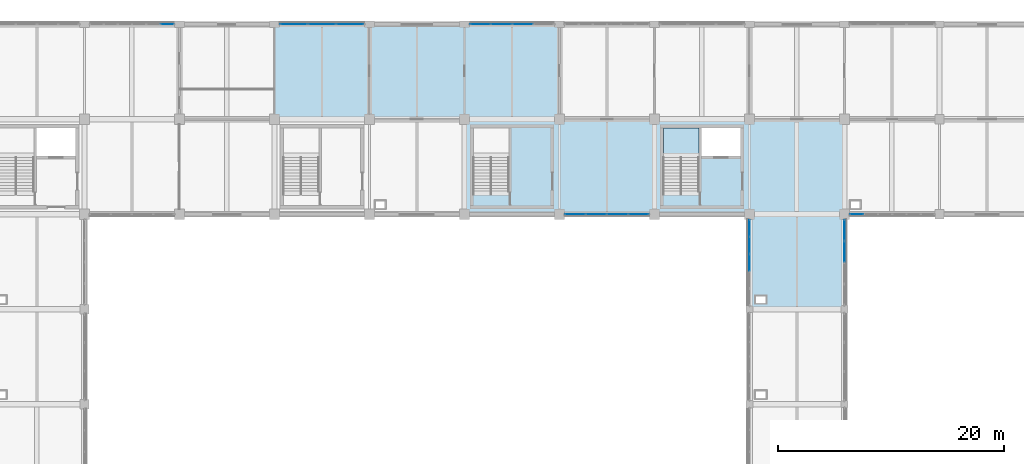
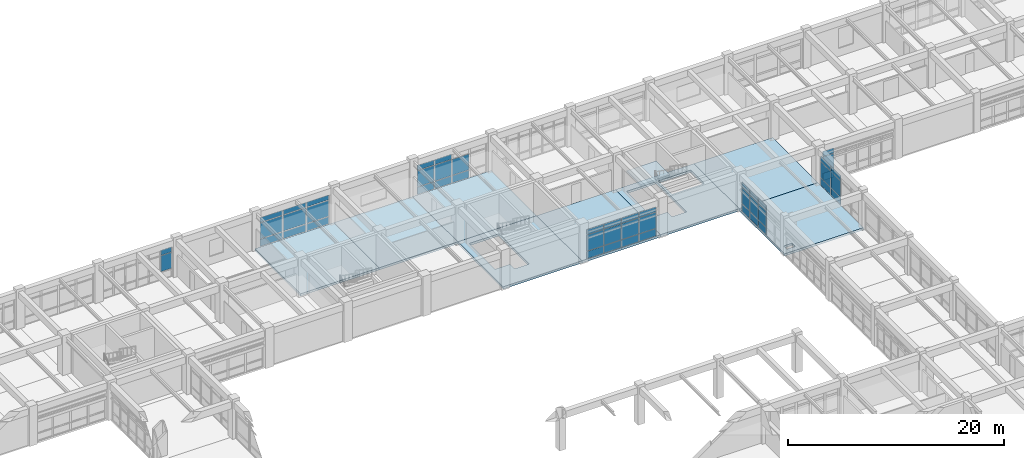
# One storey, part 71 of 99: 49 plates, 9 slabs, 8 elements without a shape of their own.
"""IFC4 building model written with IfcOpenShell, lengths in metres."""

from ifc_helpers import new_model, si_unit, direction, frame, origin, origin_2d, place, context, subcontext, project, spatial, polyline, rectangle, outline, extrude, material, layer, layer_set, type_object, element, aggregate, save


model = new_model("IFC4")

# Units and contexts
model_context = context("Model", 3, precision=1e-05, world=origin(), true_north=direction((0.0, 1.0)))
body_context = subcontext(model_context, "Body", "Model", "MODEL_VIEW")
ifc_project = project(units=[si_unit("LENGTHUNIT", "METRE"), si_unit("AREAUNIT", "SQUARE_METRE"), si_unit("VOLUMEUNIT", "CUBIC_METRE"), si_unit("PLANEANGLEUNIT", "RADIAN"), si_unit("MASSUNIT", "GRAM", prefix="KILO")], contexts=[model_context])

# Site, building, storey
site_placement = place(None, origin())
site = spatial("IfcSite", under=ifc_project, at=site_placement, CompositionType="ELEMENT")
building_placement = place(site_placement, origin())
building = spatial("IfcBuilding", under=site, at=building_placement, Name="Porcellanite Civic Hall", CompositionType="ELEMENT")
storey_placement = place(building_placement, frame((0.0, 0.0, 5.760009765625)))
storey = spatial("IfcBuildingStorey", under=building, at=storey_placement, Name="L01", CompositionType="ELEMENT", Elevation=5.760009765625)

# Curtain wall, plates
ifc_material_1 = material(Name="Anodised aluminium and solar laminated glass", Category="aluminium")
ifc_layer_1 = layer(ifc_material_1, 0.179931640625)
ifc_layer_set_1 = layer_set([ifc_layer_1], Name="Anodised aluminium and solar laminated glass")
curtain_wall_type_1 = type_object("IfcCurtainWallType", Name="CW-SYS01", PredefinedType="NOTDEFINED", material=ifc_layer_set_1)
curtain_wall_1_placement = place(storey_placement, origin())
curtain_wall_1 = element("IfcCurtainWall", 1, at=curtain_wall_1_placement, inside=storey, type_object=curtain_wall_type_1, Name="Curtain wall CW-113", PredefinedType="NOTDEFINED")
ifc_material_2 = material(Name="Cyclone laminated solar-control low-E glass", Category="glass")
ifc_layer_2 = layer(ifc_material_2, 0.030029296875)
ifc_layer_set_2 = layer_set([ifc_layer_2], Name="Cyclone laminated solar-control low-E glass")
plate_type_1 = type_object("IfcPlateType", Name="CWP-04", PredefinedType="CURTAIN_PANEL", material=ifc_layer_set_2)
plate_1_placement = place(storey_placement, frame((117.60009765625, 96.52490234375, 0.06005859375), z_axis=(0.0, 0.0, 1.0), x_axis=(0.0, 1.0, 0.0)))
plate_1 = element("IfcPlate", 2, at=plate_1_placement, type_object=plate_type_1, Name="CW-113 panel 3.1", PredefinedType="CURTAIN_PANEL", context=body_context, shape_type="SweptSolid", body=[
    extrude(rectangle(XDim=1.459716796875, YDim=0.030029296875, at=origin_2d()), origin(), (0.0, 0.0, 1.0), 0.81005859375),
])
plate_2_placement = place(storey_placement, frame((117.60009765625, 96.52490234375, 0.929931640625), z_axis=(0.0, 0.0, 1.0), x_axis=(0.0, 1.0, 0.0)))
plate_2 = element("IfcPlate", 3, at=plate_2_placement, type_object=plate_type_1, Name="CW-113 panel 3.2", PredefinedType="CURTAIN_PANEL", context=body_context, shape_type="SweptSolid", body=[
    extrude(rectangle(XDim=1.459716796875, YDim=0.030029296875, at=origin_2d()), origin(), (0.0, 0.0, 1.0), 1.7900390625),
])
plate_3_placement = place(storey_placement, frame((117.60009765625, 96.52490234375, 2.780029296875), z_axis=(0.0, 0.0, 1.0), x_axis=(0.0, 1.0, 0.0)))
plate_3 = element("IfcPlate", 4, at=plate_3_placement, type_object=plate_type_1, Name="CW-113 panel 3.3", PredefinedType="CURTAIN_PANEL", context=body_context, shape_type="SweptSolid", body=[
    extrude(rectangle(XDim=1.459716796875, YDim=0.030029296875, at=origin_2d()), origin(), (0.0, 0.0, 1.0), 0.56005859375),
])
plate_4_placement = place(storey_placement, frame((117.60009765625, 98.0546875, 0.06005859375), z_axis=(0.0, 0.0, 1.0), x_axis=(0.0, 1.0, 0.0)))
plate_4 = element("IfcPlate", 5, at=plate_4_placement, type_object=plate_type_1, Name="CW-113 panel 4.1", PredefinedType="CURTAIN_PANEL", context=body_context, shape_type="SweptSolid", body=[
    extrude(rectangle(XDim=1.459716796875, YDim=0.030029296875, at=origin_2d()), origin(), (0.0, 0.0, 1.0), 0.81005859375),
])
plate_5_placement = place(storey_placement, frame((117.60009765625, 98.0546875, 0.929931640625), z_axis=(0.0, 0.0, 1.0), x_axis=(0.0, 1.0, 0.0)))
plate_5 = element("IfcPlate", 6, at=plate_5_placement, type_object=plate_type_1, Name="CW-113 panel 4.2", PredefinedType="CURTAIN_PANEL", context=body_context, shape_type="SweptSolid", body=[
    extrude(rectangle(XDim=1.459716796875, YDim=0.030029296875, at=origin_2d()), origin(), (0.0, 0.0, 1.0), 1.7900390625),
])
plate_6_placement = place(storey_placement, frame((117.60009765625, 98.0546875, 2.780029296875), z_axis=(0.0, 0.0, 1.0), x_axis=(0.0, 1.0, 0.0)))
plate_6 = element("IfcPlate", 7, at=plate_6_placement, type_object=plate_type_1, Name="CW-113 panel 4.3", PredefinedType="CURTAIN_PANEL", context=body_context, shape_type="SweptSolid", body=[
    extrude(rectangle(XDim=1.459716796875, YDim=0.030029296875, at=origin_2d()), origin(), (0.0, 0.0, 1.0), 0.56005859375),
])
plate_7_placement = place(storey_placement, frame((117.60009765625, 99.566650390625, 0.06005859375), z_axis=(0.0, 0.0, 1.0), x_axis=(0.0, 1.0, 0.0)))
plate_7 = element("IfcPlate", 8, at=plate_7_placement, type_object=plate_type_1, Name="CW-113 panel 5.1", PredefinedType="CURTAIN_PANEL", context=body_context, shape_type="SweptSolid", body=[
    extrude(rectangle(XDim=1.424560546875, YDim=0.030029296875, at=origin_2d()), origin(), (0.0, 0.0, 1.0), 0.81005859375),
])
plate_8_placement = place(storey_placement, frame((117.60009765625, 99.566650390625, 0.929931640625), z_axis=(0.0, 0.0, 1.0), x_axis=(0.0, 1.0, 0.0)))
plate_8 = element("IfcPlate", 9, at=plate_8_placement, type_object=plate_type_1, Name="CW-113 panel 5.2", PredefinedType="CURTAIN_PANEL", context=body_context, shape_type="SweptSolid", body=[
    extrude(rectangle(XDim=1.424560546875, YDim=0.030029296875, at=origin_2d()), origin(), (0.0, 0.0, 1.0), 1.7900390625),
])
plate_9_placement = place(storey_placement, frame((117.60009765625, 99.566650390625, 2.780029296875), z_axis=(0.0, 0.0, 1.0), x_axis=(0.0, 1.0, 0.0)))
plate_9 = element("IfcPlate", 10, at=plate_9_placement, type_object=plate_type_1, Name="CW-113 panel 5.3", PredefinedType="CURTAIN_PANEL", context=body_context, shape_type="SweptSolid", body=[
    extrude(rectangle(XDim=1.424560546875, YDim=0.030029296875, at=origin_2d()), origin(), (0.0, 0.0, 1.0), 0.56005859375),
])
aggregate(curtain_wall_1, [plate_1, plate_2, plate_3, plate_4, plate_5, plate_6, plate_7, plate_8, plate_9])

ifc_material_3 = material(Name="Anodised aluminium and solar laminated glass", Category="aluminium")
ifc_layer_3 = layer(ifc_material_3, 0.179931640625)
ifc_layer_set_3 = layer_set([ifc_layer_3], Name="Anodised aluminium and solar laminated glass")
curtain_wall_type_2 = type_object("IfcCurtainWallType", Name="CW-SYS08", PredefinedType="NOTDEFINED", material=ifc_layer_set_3)
curtain_wall_2_placement = place(storey_placement, origin())
curtain_wall_2 = element("IfcCurtainWall", 11, at=curtain_wall_2_placement, inside=storey, type_object=curtain_wall_type_2, Name="Curtain wall CW-094", PredefinedType="NOTDEFINED")
ifc_material_4 = material(Name="Cyclone laminated solar-control low-E glass", Category="glass")
ifc_layer_4 = layer(ifc_material_4, 0.031982421875)
ifc_layer_set_4 = layer_set([ifc_layer_4], Name="Cyclone laminated solar-control low-E glass")
plate_type_2 = type_object("IfcPlateType", Name="CWP-05", PredefinedType="CURTAIN_PANEL", material=ifc_layer_set_4)
plate_10_placement = place(storey_placement, frame((77.320556640625, 117.60009765625, 0.070068359375), z_axis=(0.0, 0.0, 1.0), x_axis=(1.0, 0.0, 0.0)))
plate_10 = element("IfcPlate", 12, at=plate_10_placement, type_object=plate_type_2, Name="CW-094 panel 1.1", PredefinedType="CURTAIN_PANEL", context=body_context, shape_type="SweptSolid", body=[
    extrude(rectangle(XDim=2.37939453125, YDim=0.031982421875, at=origin_2d()), origin(), (0.0, 0.0, 1.0), 0.794921875),
])
plate_11_placement = place(storey_placement, frame((77.320556640625, 117.60009765625, 0.93505859375), z_axis=(0.0, 0.0, 1.0), x_axis=(1.0, 0.0, 0.0)))
plate_11 = element("IfcPlate", 13, at=plate_11_placement, type_object=plate_type_2, Name="CW-094 panel 1.2", PredefinedType="CURTAIN_PANEL", context=body_context, shape_type="SweptSolid", body=[
    extrude(rectangle(XDim=2.37939453125, YDim=0.031982421875, at=origin_2d()), origin(), (0.0, 0.0, 1.0), 1.780029296875),
])
plate_12_placement = place(storey_placement, frame((77.320556640625, 117.60009765625, 2.784912109375), z_axis=(0.0, 0.0, 1.0), x_axis=(1.0, 0.0, 0.0)))
plate_12 = element("IfcPlate", 14, at=plate_12_placement, type_object=plate_type_2, Name="CW-094 panel 1.3", PredefinedType="CURTAIN_PANEL", context=body_context, shape_type="SweptSolid", body=[
    extrude(rectangle(XDim=2.37939453125, YDim=0.031982421875, at=origin_2d()), origin(), (0.0, 0.0, 1.0), 0.544921875),
])
plate_13_placement = place(storey_placement, frame((79.800048828125, 117.60009765625, 0.070068359375), z_axis=(0.0, 0.0, 1.0), x_axis=(1.0, 0.0, 0.0)))
plate_13 = element("IfcPlate", 15, at=plate_13_placement, type_object=plate_type_2, Name="CW-094 panel 2.1", PredefinedType="CURTAIN_PANEL", context=body_context, shape_type="SweptSolid", body=[
    extrude(rectangle(XDim=2.41943359375, YDim=0.031982421875, at=origin_2d()), origin(), (0.0, 0.0, 1.0), 0.794921875),
])
plate_14_placement = place(storey_placement, frame((79.800048828125, 117.60009765625, 0.93505859375), z_axis=(0.0, 0.0, 1.0), x_axis=(1.0, 0.0, 0.0)))
plate_14 = element("IfcPlate", 16, at=plate_14_placement, type_object=plate_type_2, Name="CW-094 panel 2.2", PredefinedType="CURTAIN_PANEL", context=body_context, shape_type="SweptSolid", body=[
    extrude(rectangle(XDim=2.41943359375, YDim=0.031982421875, at=origin_2d()), origin(), (0.0, 0.0, 1.0), 1.780029296875),
])
plate_15_placement = place(storey_placement, frame((79.800048828125, 117.60009765625, 2.784912109375), z_axis=(0.0, 0.0, 1.0), x_axis=(1.0, 0.0, 0.0)))
plate_15 = element("IfcPlate", 17, at=plate_15_placement, type_object=plate_type_2, Name="CW-094 panel 2.3", PredefinedType="CURTAIN_PANEL", context=body_context, shape_type="SweptSolid", body=[
    extrude(rectangle(XDim=2.41943359375, YDim=0.031982421875, at=origin_2d()), origin(), (0.0, 0.0, 1.0), 0.544921875),
])
plate_16_placement = place(storey_placement, frame((82.279296875, 117.60009765625, 0.070068359375), z_axis=(0.0, 0.0, 1.0), x_axis=(1.0, 0.0, 0.0)))
plate_16 = element("IfcPlate", 18, at=plate_16_placement, type_object=plate_type_2, Name="CW-094 panel 3.1", PredefinedType="CURTAIN_PANEL", context=body_context, shape_type="SweptSolid", body=[
    extrude(rectangle(XDim=2.37939453125, YDim=0.031982421875, at=origin_2d()), origin(), (0.0, 0.0, 1.0), 0.794921875),
])
plate_17_placement = place(storey_placement, frame((82.279296875, 117.60009765625, 0.93505859375), z_axis=(0.0, 0.0, 1.0), x_axis=(1.0, 0.0, 0.0)))
plate_17 = element("IfcPlate", 19, at=plate_17_placement, type_object=plate_type_2, Name="CW-094 panel 3.2", PredefinedType="CURTAIN_PANEL", context=body_context, shape_type="SweptSolid", body=[
    extrude(rectangle(XDim=2.37939453125, YDim=0.031982421875, at=origin_2d()), origin(), (0.0, 0.0, 1.0), 1.780029296875),
])
plate_18_placement = place(storey_placement, frame((82.279296875, 117.60009765625, 2.784912109375), z_axis=(0.0, 0.0, 1.0), x_axis=(1.0, 0.0, 0.0)))
plate_18 = element("IfcPlate", 20, at=plate_18_placement, type_object=plate_type_2, Name="CW-094 panel 3.3", PredefinedType="CURTAIN_PANEL", context=body_context, shape_type="SweptSolid", body=[
    extrude(rectangle(XDim=2.37939453125, YDim=0.031982421875, at=origin_2d()), origin(), (0.0, 0.0, 1.0), 0.544921875),
])
aggregate(curtain_wall_2, [plate_10, plate_11, plate_12, plate_13, plate_14, plate_15, plate_16, plate_17, plate_18])

ifc_material_5 = material(Name="Anodised aluminium and solar laminated glass", Category="aluminium")
ifc_layer_5 = layer(ifc_material_5, 0.179931640625)
ifc_layer_set_5 = layer_set([ifc_layer_5], Name="Anodised aluminium and solar laminated glass")
curtain_wall_type_3 = type_object("IfcCurtainWallType", Name="CW-SYS06", PredefinedType="NOTDEFINED", material=ifc_layer_set_5)
curtain_wall_3_placement = place(storey_placement, origin())
curtain_wall_3 = element("IfcCurtainWall", 21, at=curtain_wall_3_placement, inside=storey, type_object=curtain_wall_type_3, Name="Curtain wall CW-104", PredefinedType="NOTDEFINED")
plate_19_placement = place(storey_placement, frame((107.79541015625, 100.800048828125, 0.0498046875), z_axis=(0.0, 0.0, 1.0), x_axis=(-1.0, 0.0, 0.0)))
plate_19 = element("IfcPlate", 22, at=plate_19_placement, type_object=plate_type_2, Name="CW-104 panel 1.1", PredefinedType="CURTAIN_PANEL", context=body_context, shape_type="SweptSolid", body=[
    extrude(rectangle(XDim=1.777099609375, YDim=0.031982421875, at=origin_2d()), origin(), (0.0, 0.0, 1.0), 0.824951171875),
])
plate_20_placement = place(storey_placement, frame((107.79541015625, 100.800048828125, 0.9248046875), z_axis=(0.0, 0.0, 1.0), x_axis=(-1.0, 0.0, 0.0)))
plate_20 = element("IfcPlate", 23, at=plate_20_placement, type_object=plate_type_2, Name="CW-104 panel 1.2", PredefinedType="CURTAIN_PANEL", context=body_context, shape_type="SweptSolid", body=[
    extrude(rectangle(XDim=1.777099609375, YDim=0.031982421875, at=origin_2d()), origin(), (0.0, 0.0, 1.0), 1.800048828125),
])
plate_21_placement = place(storey_placement, frame((107.79541015625, 100.800048828125, 2.77490234375), z_axis=(0.0, 0.0, 1.0), x_axis=(-1.0, 0.0, 0.0)))
plate_21 = element("IfcPlate", 24, at=plate_21_placement, type_object=plate_type_2, Name="CW-104 panel 1.3", PredefinedType="CURTAIN_PANEL", context=body_context, shape_type="SweptSolid", body=[
    extrude(rectangle(XDim=1.777099609375, YDim=0.031982421875, at=origin_2d()), origin(), (0.0, 0.0, 1.0), 0.574951171875),
])
plate_22_placement = place(storey_placement, frame((105.937255859375, 100.800048828125, 0.0498046875), z_axis=(0.0, 0.0, 1.0), x_axis=(-1.0, 0.0, 0.0)))
plate_22 = element("IfcPlate", 25, at=plate_22_placement, type_object=plate_type_2, Name="CW-104 panel 2.1", PredefinedType="CURTAIN_PANEL", context=body_context, shape_type="SweptSolid", body=[
    extrude(rectangle(XDim=1.8095703125, YDim=0.031982421875, at=origin_2d()), origin(), (0.0, 0.0, 1.0), 0.824951171875),
])
plate_23_placement = place(storey_placement, frame((105.937255859375, 100.800048828125, 0.9248046875), z_axis=(0.0, 0.0, 1.0), x_axis=(-1.0, 0.0, 0.0)))
plate_23 = element("IfcPlate", 26, at=plate_23_placement, type_object=plate_type_2, Name="CW-104 panel 2.2", PredefinedType="CURTAIN_PANEL", context=body_context, shape_type="SweptSolid", body=[
    extrude(rectangle(XDim=1.8095703125, YDim=0.031982421875, at=origin_2d()), origin(), (0.0, 0.0, 1.0), 1.800048828125),
])
plate_24_placement = place(storey_placement, frame((105.937255859375, 100.800048828125, 2.77490234375), z_axis=(0.0, 0.0, 1.0), x_axis=(-1.0, 0.0, 0.0)))
plate_24 = element("IfcPlate", 27, at=plate_24_placement, type_object=plate_type_2, Name="CW-104 panel 2.3", PredefinedType="CURTAIN_PANEL", context=body_context, shape_type="SweptSolid", body=[
    extrude(rectangle(XDim=1.8095703125, YDim=0.031982421875, at=origin_2d()), origin(), (0.0, 0.0, 1.0), 0.574951171875),
])
plate_25_placement = place(storey_placement, frame((104.062744140625, 100.800048828125, 0.0498046875), z_axis=(0.0, 0.0, 1.0), x_axis=(-1.0, 0.0, 0.0)))
plate_25 = element("IfcPlate", 28, at=plate_25_placement, type_object=plate_type_2, Name="CW-104 panel 3.1", PredefinedType="CURTAIN_PANEL", context=body_context, shape_type="SweptSolid", body=[
    extrude(rectangle(XDim=1.8095703125, YDim=0.031982421875, at=origin_2d()), origin(), (0.0, 0.0, 1.0), 0.824951171875),
])
plate_26_placement = place(storey_placement, frame((104.062744140625, 100.800048828125, 0.9248046875), z_axis=(0.0, 0.0, 1.0), x_axis=(-1.0, 0.0, 0.0)))
plate_26 = element("IfcPlate", 29, at=plate_26_placement, type_object=plate_type_2, Name="CW-104 panel 3.2", PredefinedType="CURTAIN_PANEL", context=body_context, shape_type="SweptSolid", body=[
    extrude(rectangle(XDim=1.8095703125, YDim=0.031982421875, at=origin_2d()), origin(), (0.0, 0.0, 1.0), 1.800048828125),
])
plate_27_placement = place(storey_placement, frame((104.062744140625, 100.800048828125, 2.77490234375), z_axis=(0.0, 0.0, 1.0), x_axis=(-1.0, 0.0, 0.0)))
plate_27 = element("IfcPlate", 30, at=plate_27_placement, type_object=plate_type_2, Name="CW-104 panel 3.3", PredefinedType="CURTAIN_PANEL", context=body_context, shape_type="SweptSolid", body=[
    extrude(rectangle(XDim=1.8095703125, YDim=0.031982421875, at=origin_2d()), origin(), (0.0, 0.0, 1.0), 0.574951171875),
])
plate_28_placement = place(storey_placement, frame((102.20458984375, 100.800048828125, 0.0498046875), z_axis=(0.0, 0.0, 1.0), x_axis=(-1.0, 0.0, 0.0)))
plate_28 = element("IfcPlate", 31, at=plate_28_placement, type_object=plate_type_2, Name="CW-104 panel 4.1", PredefinedType="CURTAIN_PANEL", context=body_context, shape_type="SweptSolid", body=[
    extrude(rectangle(XDim=1.777099609375, YDim=0.031982421875, at=origin_2d()), origin(), (0.0, 0.0, 1.0), 0.824951171875),
])
plate_29_placement = place(storey_placement, frame((102.20458984375, 100.800048828125, 0.9248046875), z_axis=(0.0, 0.0, 1.0), x_axis=(-1.0, 0.0, 0.0)))
plate_29 = element("IfcPlate", 32, at=plate_29_placement, type_object=plate_type_2, Name="CW-104 panel 4.2", PredefinedType="CURTAIN_PANEL", context=body_context, shape_type="SweptSolid", body=[
    extrude(rectangle(XDim=1.777099609375, YDim=0.031982421875, at=origin_2d()), origin(), (0.0, 0.0, 1.0), 1.800048828125),
])
plate_30_placement = place(storey_placement, frame((102.20458984375, 100.800048828125, 2.77490234375), z_axis=(0.0, 0.0, 1.0), x_axis=(-1.0, 0.0, 0.0)))
plate_30 = element("IfcPlate", 33, at=plate_30_placement, type_object=plate_type_2, Name="CW-104 panel 4.3", PredefinedType="CURTAIN_PANEL", context=body_context, shape_type="SweptSolid", body=[
    extrude(rectangle(XDim=1.777099609375, YDim=0.031982421875, at=origin_2d()), origin(), (0.0, 0.0, 1.0), 0.574951171875),
])
aggregate(curtain_wall_3, [plate_19, plate_20, plate_21, plate_22, plate_23, plate_24, plate_25, plate_26, plate_27, plate_28, plate_29, plate_30])

ifc_material_6 = material(Name="Anodised aluminium and solar laminated glass", Category="aluminium")
ifc_layer_6 = layer(ifc_material_6, 0.179931640625)
ifc_layer_set_6 = layer_set([ifc_layer_6], Name="Anodised aluminium and solar laminated glass")
curtain_wall_type_4 = type_object("IfcCurtainWallType", Name="CW-SYS03", PredefinedType="NOTDEFINED", material=ifc_layer_set_6)
curtain_wall_4_placement = place(storey_placement, origin())
curtain_wall_4 = element("IfcCurtainWall", 34, at=curtain_wall_4_placement, inside=storey, type_object=curtain_wall_type_4, Name="Curtain wall CW-114", PredefinedType="NOTDEFINED")
plate_31_placement = place(storey_placement, frame((126.0, 99.376220703125, 0.054931640625), z_axis=(0.0, 0.0, 1.0), x_axis=(0.0, -1.0, 0.0)))
plate_31 = element("IfcPlate", 35, at=plate_31_placement, type_object=plate_type_2, Name="CW-114 panel 1.1", PredefinedType="CURTAIN_PANEL", context=body_context, shape_type="SweptSolid", body=[
    extrude(rectangle(XDim=1.78564453125, YDim=0.031982421875, at=origin_2d()), origin(), (0.0, 0.0, 1.0), 0.8173828125),
])
plate_32_placement = place(storey_placement, frame((126.0, 99.376220703125, 0.927490234375), z_axis=(0.0, 0.0, 1.0), x_axis=(0.0, -1.0, 0.0)))
plate_32 = element("IfcPlate", 36, at=plate_32_placement, type_object=plate_type_2, Name="CW-114 panel 1.2", PredefinedType="CURTAIN_PANEL", context=body_context, shape_type="SweptSolid", body=[
    extrude(rectangle(XDim=1.78564453125, YDim=0.031982421875, at=origin_2d()), origin(), (0.0, 0.0, 1.0), 1.794921875),
])
plate_33_placement = place(storey_placement, frame((126.0, 99.376220703125, 2.777587890625), z_axis=(0.0, 0.0, 1.0), x_axis=(0.0, -1.0, 0.0)))
plate_33 = element("IfcPlate", 37, at=plate_33_placement, type_object=plate_type_2, Name="CW-114 panel 1.3", PredefinedType="CURTAIN_PANEL", context=body_context, shape_type="SweptSolid", body=[
    extrude(rectangle(XDim=1.78564453125, YDim=0.031982421875, at=origin_2d()), origin(), (0.0, 0.0, 1.0), 0.5673828125),
])
plate_34_placement = place(storey_placement, frame((126.0, 97.490478515625, 0.054931640625), z_axis=(0.0, 0.0, 1.0), x_axis=(0.0, -1.0, 0.0)))
plate_34 = element("IfcPlate", 38, at=plate_34_placement, type_object=plate_type_2, Name="CW-114 panel 2.1", PredefinedType="CURTAIN_PANEL", context=body_context, shape_type="SweptSolid", body=[
    extrude(rectangle(XDim=1.82568359375, YDim=0.031982421875, at=origin_2d()), origin(), (0.0, 0.0, 1.0), 0.8173828125),
])
plate_35_placement = place(storey_placement, frame((126.0, 97.490478515625, 0.927490234375), z_axis=(0.0, 0.0, 1.0), x_axis=(0.0, -1.0, 0.0)))
plate_35 = element("IfcPlate", 39, at=plate_35_placement, type_object=plate_type_2, Name="CW-114 panel 2.2", PredefinedType="CURTAIN_PANEL", context=body_context, shape_type="SweptSolid", body=[
    extrude(rectangle(XDim=1.82568359375, YDim=0.031982421875, at=origin_2d()), origin(), (0.0, 0.0, 1.0), 1.794921875),
])
plate_36_placement = place(storey_placement, frame((126.0, 97.490478515625, 2.777587890625), z_axis=(0.0, 0.0, 1.0), x_axis=(0.0, -1.0, 0.0)))
plate_36 = element("IfcPlate", 40, at=plate_36_placement, type_object=plate_type_2, Name="CW-114 panel 2.3", PredefinedType="CURTAIN_PANEL", context=body_context, shape_type="SweptSolid", body=[
    extrude(rectangle(XDim=1.82568359375, YDim=0.031982421875, at=origin_2d()), origin(), (0.0, 0.0, 1.0), 0.5673828125),
])
aggregate(curtain_wall_4, [plate_31, plate_32, plate_33, plate_34, plate_35, plate_36])

ifc_material_7 = material(Name="Anodised aluminium and solar laminated glass", Category="aluminium")
ifc_layer_7 = layer(ifc_material_7, 0.179931640625)
ifc_layer_set_7 = layer_set([ifc_layer_7], Name="Anodised aluminium and solar laminated glass")
curtain_wall_type_5 = type_object("IfcCurtainWallType", Name="CW-SYS07", PredefinedType="NOTDEFINED", material=ifc_layer_set_7)
curtain_wall_5_placement = place(storey_placement, origin())
curtain_wall_5 = element("IfcCurtainWall", 41, at=curtain_wall_5_placement, inside=storey, type_object=curtain_wall_type_5, Name="Curtain wall CW-087", PredefinedType="NOTDEFINED")
ifc_material_8 = material(Name="Insulated ochre aluminium spandrel panel", Category="aluminium")
ifc_layer_8 = layer(ifc_material_8, 0.0380859375)
ifc_layer_set_8 = layer_set([ifc_layer_8], Name="Insulated ochre aluminium spandrel panel")
plate_type_3 = type_object("IfcPlateType", Name="CWP-08", PredefinedType="CURTAIN_PANEL", material=ifc_layer_set_8)
plate_37_placement = place(storey_placement, frame((66.109130859375, 117.60009765625, 0.9248046875), z_axis=(0.0, 0.0, 1.0), x_axis=(1.0, 0.0, 0.0)))
plate_37 = element("IfcPlate", 42, at=plate_37_placement, type_object=plate_type_3, Name="CW-087 panel 6.2", PredefinedType="CURTAIN_PANEL", context=body_context, shape_type="SweptSolid", body=[
    extrude(rectangle(XDim=1.15966796875, YDim=0.0380859375, at=origin_2d()), origin(), (0.0, 0.0, 1.0), 1.800048828125),
])
plate_38_placement = place(storey_placement, frame((66.109130859375, 117.60009765625, 2.77490234375), z_axis=(0.0, 0.0, 1.0), x_axis=(1.0, 0.0, 0.0)))
plate_38 = element("IfcPlate", 43, at=plate_38_placement, type_object=plate_type_3, Name="CW-087 panel 6.3", PredefinedType="CURTAIN_PANEL", context=body_context, shape_type="SweptSolid", body=[
    extrude(rectangle(XDim=1.15966796875, YDim=0.0380859375, at=origin_2d()), origin(), (0.0, 0.0, 1.0), 0.574951171875),
])
aggregate(curtain_wall_5, [plate_37, plate_38])

ifc_material_9 = material(Name="Anodised aluminium and solar laminated glass", Category="aluminium")
ifc_layer_9 = layer(ifc_material_9, 0.179931640625)
ifc_layer_set_9 = layer_set([ifc_layer_9], Name="Anodised aluminium and solar laminated glass")
curtain_wall_type_6 = type_object("IfcCurtainWallType", Name="CW-SYS04", PredefinedType="NOTDEFINED", material=ifc_layer_set_9)
curtain_wall_6_placement = place(storey_placement, origin())
curtain_wall_6 = element("IfcCurtainWall", 44, at=curtain_wall_6_placement, inside=storey, type_object=curtain_wall_type_6, Name="Curtain wall CW-097", PredefinedType="NOTDEFINED")
plate_39_placement = place(storey_placement, frame((93.806884765625, 117.60009765625, 0.054931640625), z_axis=(0.0, 0.0, 1.0), x_axis=(1.0, 0.0, 0.0)))
plate_39 = element("IfcPlate", 45, at=plate_39_placement, type_object=plate_type_3, Name="CW-097 panel 1.1", PredefinedType="CURTAIN_PANEL", context=body_context, shape_type="SweptSolid", body=[
    extrude(rectangle(XDim=1.761962890625, YDim=0.0380859375, at=origin_2d()), origin(), (0.0, 0.0, 1.0), 0.8173828125),
])
plate_40_placement = place(storey_placement, frame((93.806884765625, 117.60009765625, 0.927490234375), z_axis=(0.0, 0.0, 1.0), x_axis=(1.0, 0.0, 0.0)))
plate_40 = element("IfcPlate", 46, at=plate_40_placement, type_object=plate_type_3, Name="CW-097 panel 1.2", PredefinedType="CURTAIN_PANEL", context=body_context, shape_type="SweptSolid", body=[
    extrude(rectangle(XDim=1.761962890625, YDim=0.0380859375, at=origin_2d()), origin(), (0.0, 0.0, 1.0), 1.794921875),
])
plate_41_placement = place(storey_placement, frame((93.806884765625, 117.60009765625, 2.777587890625), z_axis=(0.0, 0.0, 1.0), x_axis=(1.0, 0.0, 0.0)))
plate_41 = element("IfcPlate", 47, at=plate_41_placement, type_object=plate_type_3, Name="CW-097 panel 1.3", PredefinedType="CURTAIN_PANEL", context=body_context, shape_type="SweptSolid", body=[
    extrude(rectangle(XDim=1.761962890625, YDim=0.0380859375, at=origin_2d()), origin(), (0.0, 0.0, 1.0), 0.5673828125),
])
plate_42_placement = place(storey_placement, frame((95.662841796875, 117.60009765625, 0.054931640625), z_axis=(0.0, 0.0, 1.0), x_axis=(1.0, 0.0, 0.0)))
plate_42 = element("IfcPlate", 48, at=plate_42_placement, type_object=plate_type_3, Name="CW-097 panel 2.1", PredefinedType="CURTAIN_PANEL", context=body_context, shape_type="SweptSolid", body=[
    extrude(rectangle(XDim=1.799560546875, YDim=0.0380859375, at=origin_2d()), origin(), (0.0, 0.0, 1.0), 0.8173828125),
])
plate_43_placement = place(storey_placement, frame((95.662841796875, 117.60009765625, 0.927490234375), z_axis=(0.0, 0.0, 1.0), x_axis=(1.0, 0.0, 0.0)))
plate_43 = element("IfcPlate", 49, at=plate_43_placement, type_object=plate_type_3, Name="CW-097 panel 2.2", PredefinedType="CURTAIN_PANEL", context=body_context, shape_type="SweptSolid", body=[
    extrude(rectangle(XDim=1.799560546875, YDim=0.0380859375, at=origin_2d()), origin(), (0.0, 0.0, 1.0), 1.794921875),
])
plate_44_placement = place(storey_placement, frame((95.662841796875, 117.60009765625, 2.777587890625), z_axis=(0.0, 0.0, 1.0), x_axis=(1.0, 0.0, 0.0)))
plate_44 = element("IfcPlate", 50, at=plate_44_placement, type_object=plate_type_3, Name="CW-097 panel 2.3", PredefinedType="CURTAIN_PANEL", context=body_context, shape_type="SweptSolid", body=[
    extrude(rectangle(XDim=1.799560546875, YDim=0.0380859375, at=origin_2d()), origin(), (0.0, 0.0, 1.0), 0.5673828125),
])
plate_45_placement = place(storey_placement, frame((97.537353515625, 117.60009765625, 0.054931640625), z_axis=(0.0, 0.0, 1.0), x_axis=(1.0, 0.0, 0.0)))
plate_45 = element("IfcPlate", 51, at=plate_45_placement, type_object=plate_type_3, Name="CW-097 panel 3.1", PredefinedType="CURTAIN_PANEL", context=body_context, shape_type="SweptSolid", body=[
    extrude(rectangle(XDim=1.799560546875, YDim=0.0380859375, at=origin_2d()), origin(), (0.0, 0.0, 1.0), 0.8173828125),
])
plate_46_placement = place(storey_placement, frame((97.537353515625, 117.60009765625, 0.927490234375), z_axis=(0.0, 0.0, 1.0), x_axis=(1.0, 0.0, 0.0)))
plate_46 = element("IfcPlate", 52, at=plate_46_placement, type_object=plate_type_3, Name="CW-097 panel 3.2", PredefinedType="CURTAIN_PANEL", context=body_context, shape_type="SweptSolid", body=[
    extrude(rectangle(XDim=1.799560546875, YDim=0.0380859375, at=origin_2d()), origin(), (0.0, 0.0, 1.0), 1.794921875),
])
aggregate(curtain_wall_6, [plate_39, plate_40, plate_41, plate_42, plate_43, plate_44, plate_45, plate_46])

curtain_wall_7_placement = place(storey_placement, origin())
curtain_wall_7 = element("IfcCurtainWall", 53, at=curtain_wall_7_placement, inside=storey, type_object=curtain_wall_type_5, Name="Curtain wall CW-117", PredefinedType="NOTDEFINED")
plate_47_placement = place(storey_placement, frame((127.094970703125, 100.800048828125, 0.0498046875), z_axis=(0.0, 0.0, 1.0), x_axis=(-1.0, 0.0, 0.0)))
plate_47 = element("IfcPlate", 54, at=plate_47_placement, type_object=plate_type_3, Name="CW-117 panel 6.1", PredefinedType="CURTAIN_PANEL", context=body_context, shape_type="SweptSolid", body=[
    extrude(rectangle(XDim=1.16796875, YDim=0.0380859375, at=origin_2d()), origin(), (0.0, 0.0, 1.0), 0.824951171875),
])
plate_48_placement = place(storey_placement, frame((127.094970703125, 100.800048828125, 0.9248046875), z_axis=(0.0, 0.0, 1.0), x_axis=(-1.0, 0.0, 0.0)))
plate_48 = element("IfcPlate", 55, at=plate_48_placement, type_object=plate_type_3, Name="CW-117 panel 6.2", PredefinedType="CURTAIN_PANEL", context=body_context, shape_type="SweptSolid", body=[
    extrude(rectangle(XDim=1.16796875, YDim=0.0380859375, at=origin_2d()), origin(), (0.0, 0.0, 1.0), 1.800048828125),
])
plate_49_placement = place(storey_placement, frame((127.094970703125, 100.800048828125, 2.77490234375), z_axis=(0.0, 0.0, 1.0), x_axis=(-1.0, 0.0, 0.0)))
plate_49 = element("IfcPlate", 56, at=plate_49_placement, type_object=plate_type_3, Name="CW-117 panel 6.3", PredefinedType="CURTAIN_PANEL", context=body_context, shape_type="SweptSolid", body=[
    extrude(rectangle(XDim=1.16796875, YDim=0.0380859375, at=origin_2d()), origin(), (0.0, 0.0, 1.0), 0.574951171875),
])
aggregate(curtain_wall_7, [plate_47, plate_48, plate_49])

# Stair, slab
ifc_material_10 = material(Name="Concrete N40 (40 MPa)", Category="concrete")
stair_type = type_object("IfcStairType", Name="STR-HT25", PredefinedType="HALF_TURN_STAIR", material=ifc_material_10)
stair_placement = place(storey_placement, origin())
stair = element("IfcStair", 57, at=stair_placement, inside=storey, type_object=stair_type, Name="Fire stair ST-04 L01", PredefinedType="HALF_TURN_STAIR")
ifc_material_11 = material(Name="Concrete N40 (40 MPa)", Category="concrete")
ifc_layer_10 = layer(ifc_material_11, 0.179931640625)
ifc_layer_set_10 = layer_set([ifc_layer_10], Name="Concrete N40 (40 MPa)")
slab_type_1 = type_object("IfcSlabType", Name="LND-18", PredefinedType="LANDING", material=ifc_layer_set_10)
slab_1_placement = place(storey_placement, frame((0.0, 0.0, 2.159912109375)))
slab_1 = element("IfcSlab", 58, at=slab_1_placement, type_object=slab_type_1, Name="ST-04 landing 1", PredefinedType="LANDING", context=body_context, shape_type="SweptSolid", body=[
    extrude(outline(polyline([(109.98046875, 105.824951171875), (113.119384765625, 105.824951171875), (113.119384765625, 108.41943359375), (109.98046875, 108.41943359375), (109.98046875, 105.824951171875)])), origin(), (0.0, 0.0, 1.0), 0.18017578125),
])
aggregate(stair, [slab_1])

# Slabs
ifc_material_12 = material(Name="Concrete N40 (40 MPa)", Category="concrete")
ifc_layer_11 = layer(ifc_material_12, 0.25)
ifc_layer_set_11 = layer_set([ifc_layer_11], Name="Concrete N40 (40 MPa)")
slab_type_2 = type_object("IfcSlabType", Name="SL-FL250", PredefinedType="FLOOR", material=ifc_layer_set_11)
slab_2_placement = place(storey_placement, frame((0.0, 0.0, -0.25)))
element("IfcSlab", 59, at=slab_2_placement, inside=storey, type_object=slab_type_2, Name="Slab L01 bay 10-14", PredefinedType="FLOOR", context=body_context, shape_type="SweptSolid", body=[
    extrude(outline(polyline([(75.60009765625, 109.199951171875), (84.0, 109.199951171875), (84.0, 117.60009765625), (75.60009765625, 117.60009765625), (75.60009765625, 109.199951171875)])), origin(), (0.0, 0.0, 1.0), 0.25),
])
slab_3_placement = place(storey_placement, frame((0.0, 0.0, -0.25)))
element("IfcSlab", 60, at=slab_3_placement, inside=storey, type_object=slab_type_2, Name="Slab L01 bay 11-14", PredefinedType="FLOOR", context=body_context, shape_type="SweptSolid", body=[
    extrude(outline(polyline([(84.0, 109.199951171875), (92.39990234375, 109.199951171875), (92.39990234375, 117.60009765625), (84.0, 117.60009765625), (84.0, 109.199951171875)])), origin(), (0.0, 0.0, 1.0), 0.25),
])
slab_4_placement = place(storey_placement, frame((0.0, 0.0, -0.25)))
element("IfcSlab", 61, at=slab_4_placement, inside=storey, type_object=slab_type_2, Name="Slab L01 bay 12-13", PredefinedType="FLOOR", context=body_context, shape_type="SweptSolid", body=[
    extrude(outline(polyline([(92.39990234375, 100.800048828125), (100.800048828125, 100.800048828125), (100.800048828125, 109.199951171875), (92.39990234375, 109.199951171875), (92.39990234375, 100.800048828125)]), holes=[polyline([(93.179931640625, 103.64990234375), (94.760009765625, 103.64990234375), (94.760009765625, 102.800048828125), (96.320068359375, 102.800048828125), (96.320068359375, 108.419921875), (93.179931640625, 108.419921875), (93.179931640625, 103.64990234375)])]), origin(), (0.0, 0.0, 1.0), 0.25),
])
slab_5_placement = place(storey_placement, frame((0.0, 0.0, -0.25)))
element("IfcSlab", 62, at=slab_5_placement, inside=storey, type_object=slab_type_2, Name="Slab L01 bay 14-13", PredefinedType="FLOOR", context=body_context, shape_type="SweptSolid", body=[
    extrude(outline(polyline([(109.199951171875, 100.800048828125), (117.60009765625, 100.800048828125), (117.60009765625, 109.199951171875), (109.199951171875, 109.199951171875), (109.199951171875, 100.800048828125)]), holes=[polyline([(109.97998046875, 103.64990234375), (111.56005859375, 103.64990234375), (111.56005859375, 102.800048828125), (113.1201171875, 102.800048828125), (113.1201171875, 108.419921875), (109.97998046875, 108.419921875), (109.97998046875, 103.64990234375)]), polyline([(113.360107421875, 105.93994140625), (116.820068359375, 105.93994140625), (116.820068359375, 108.419921875), (113.360107421875, 108.419921875), (113.360107421875, 105.93994140625)])]), origin(), (0.0, 0.0, 1.0), 0.25),
])
slab_6_placement = place(storey_placement, frame((0.0, 0.0, -0.25)))
element("IfcSlab", 63, at=slab_6_placement, inside=storey, type_object=slab_type_2, Name="Slab L01 bay 15-12", PredefinedType="FLOOR", context=body_context, shape_type="SweptSolid", body=[
    extrude(outline(polyline([(117.60009765625, 92.39990234375), (126.0, 92.39990234375), (126.0, 100.800048828125), (117.60009765625, 100.800048828125), (117.60009765625, 92.39990234375)]), holes=[polyline([(118.14990234375, 92.949951171875), (119.050048828125, 92.949951171875), (119.050048828125, 93.550048828125), (118.14990234375, 93.550048828125), (118.14990234375, 92.949951171875)])]), origin(), (0.0, 0.0, 1.0), 0.25),
])
slab_7_placement = place(storey_placement, frame((0.0, 0.0, -0.25)))
element("IfcSlab", 64, at=slab_7_placement, inside=storey, type_object=slab_type_2, Name="Slab L01 bay 15-13", PredefinedType="FLOOR", context=body_context, shape_type="SweptSolid", body=[
    extrude(outline(polyline([(117.60009765625, 100.800048828125), (126.0, 100.800048828125), (126.0, 109.199951171875), (117.60009765625, 109.199951171875), (117.60009765625, 100.800048828125)])), origin(), (0.0, 0.0, 1.0), 0.25),
])
ifc_material_13 = material(Name="Concrete N40 (40 MPa)", Category="concrete")
ifc_layer_12 = layer(ifc_material_13, 0.260009765625)
ifc_layer_set_12 = layer_set([ifc_layer_12], Name="Concrete N40 (40 MPa)")
slab_type_3 = type_object("IfcSlabType", Name="SL-FL260", PredefinedType="FLOOR", material=ifc_layer_set_12)
slab_8_placement = place(storey_placement, frame((0.0, 0.0, -0.260009765625)))
element("IfcSlab", 65, at=slab_8_placement, inside=storey, type_object=slab_type_3, Name="Slab L01 bay 12-14", PredefinedType="FLOOR", context=body_context, shape_type="SweptSolid", body=[
    extrude(outline(polyline([(92.39990234375, 109.199951171875), (100.800048828125, 109.199951171875), (100.800048828125, 117.60009765625), (92.39990234375, 117.60009765625), (92.39990234375, 109.199951171875)])), origin(), (0.0, 0.0, 1.0), 0.260009765625),
])
slab_9_placement = place(storey_placement, frame((0.0, 0.0, -0.260009765625)))
element("IfcSlab", 66, at=slab_9_placement, inside=storey, type_object=slab_type_3, Name="Slab L01 bay 13-13", PredefinedType="FLOOR", context=body_context, shape_type="SweptSolid", body=[
    extrude(outline(polyline([(100.800048828125, 100.800048828125), (109.199951171875, 100.800048828125), (109.199951171875, 109.199951171875), (100.800048828125, 109.199951171875), (100.800048828125, 100.800048828125)])), origin(), (0.0, 0.0, 1.0), 0.260009765625),
])

save(model, "model.ifc")
